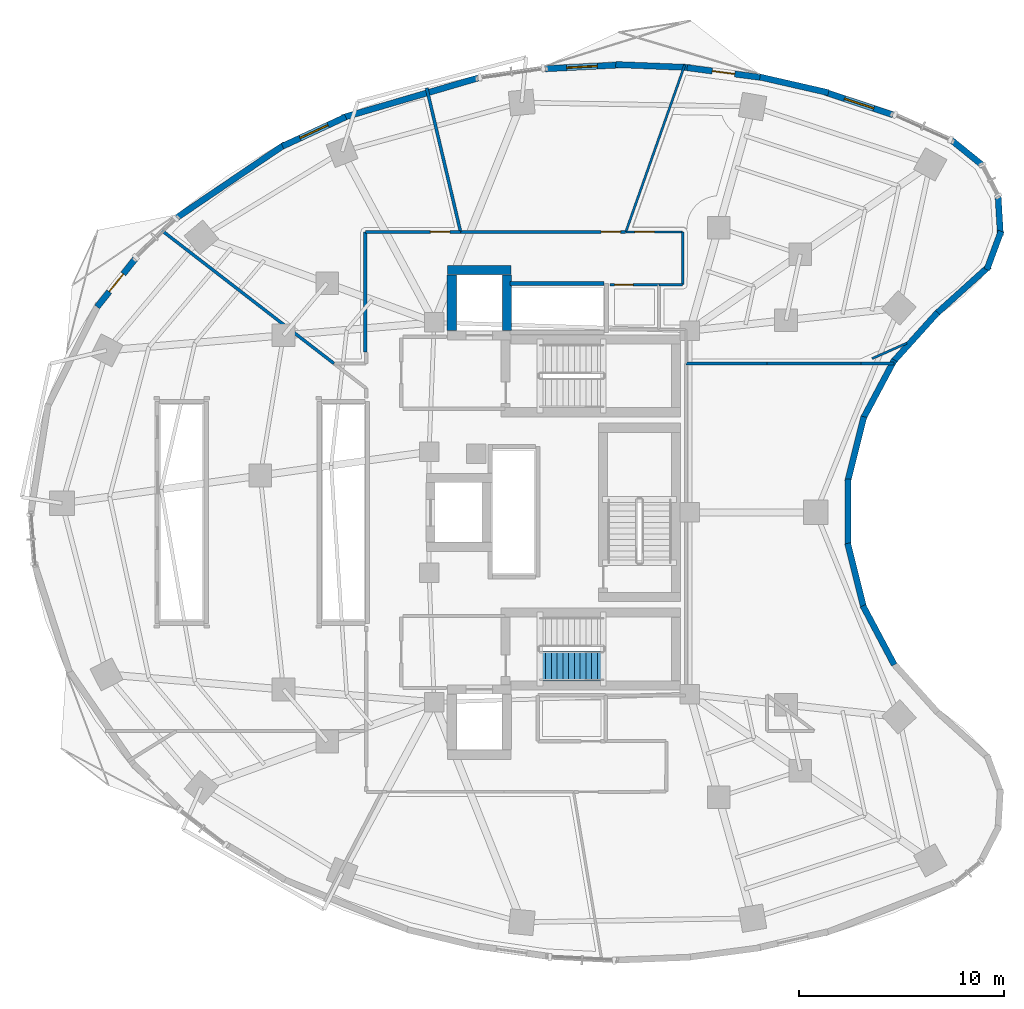
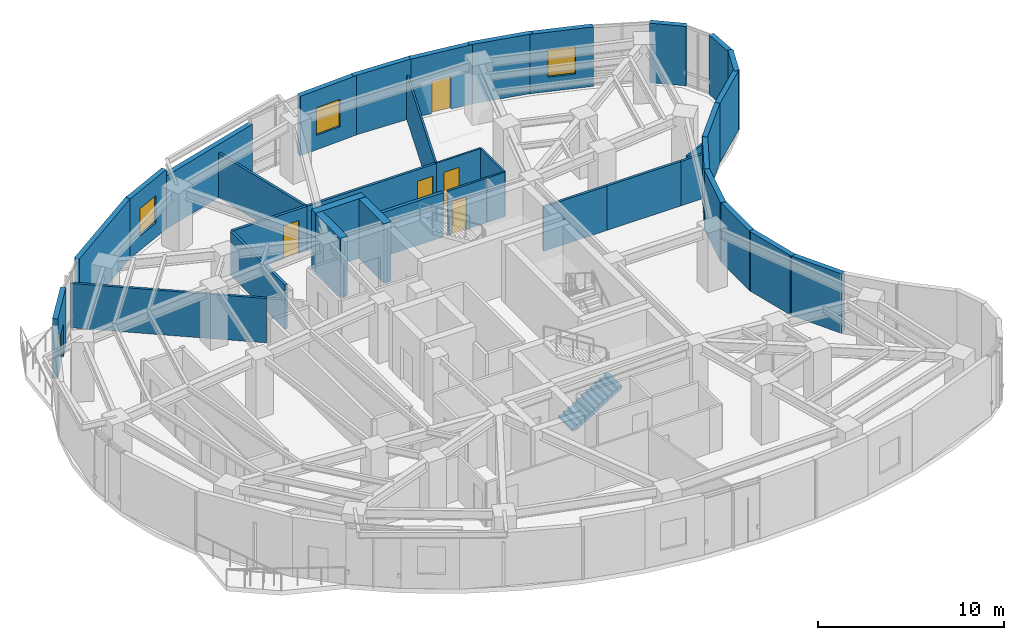
# One storey, part 10 of 14: 37 walls, 6 doors, 3 windows, 1 stair flight, 9 openings, 1 element without a shape of its own.
"""IFC4 building model written with IfcOpenShell, lengths in metres."""

from ifc_helpers import new_model, si_unit, direction, frame, frame_2d, origin, place, context, subcontext, project, spatial, polyline, rectangle, outline, extrude, material, layer, layer_set, type_object, element, fill, aggregate, save


model = new_model("IFC4")

# Units and contexts
model_context = context("Model", 3, precision=1e-05, world=origin(), true_north=direction((0.0, 1.0)))
body_context = subcontext(model_context, "Body", "Model", "MODEL_VIEW")
ifc_project = project(units=[si_unit("LENGTHUNIT", "METRE"), si_unit("AREAUNIT", "SQUARE_METRE"), si_unit("VOLUMEUNIT", "CUBIC_METRE"), si_unit("PLANEANGLEUNIT", "RADIAN"), si_unit("MASSUNIT", "GRAM", prefix="KILO")], contexts=[model_context])

# Site, building, storey
site_placement = place(None, origin())
site = spatial("IfcSite", under=ifc_project, at=site_placement, CompositionType="ELEMENT")
building_placement = place(site_placement, origin())
building = spatial("IfcBuilding", under=site, at=building_placement, Name="Korentha Bioscience Tower", CompositionType="ELEMENT")
storey_placement = place(building_placement, frame((0.0, 0.0, 132.0)))
storey = spatial("IfcBuildingStorey", under=building, at=storey_placement, Name="L30", CompositionType="ELEMENT", Elevation=132.0)

# Wall, opening, door
ifc_material_1 = material(Name="Double-Stud Acoustic Gypsum", Category="gypsum")
ifc_layer_1 = layer(ifc_material_1, 0.14990234375, Name="Double-Stud Acoustic Gypsum")
ifc_layer_set_1 = layer_set([ifc_layer_1], Name="Double-Stud Acoustic Gypsum (IW-L150)")
wall_type_1 = type_object("IfcWallType", Name="Acoustic Laboratory Partition Wall 150", PredefinedType="PARTITIONING", material=ifc_layer_set_1)
wall_1_placement = place(storey_placement, frame((34.422607421875, 40.659912109375, 0.0), z_axis=(0.0, 0.0, 1.0), x_axis=(-1.0, 0.0, 0.0)))
wall_1 = element("IfcWall", 1, at=wall_1_placement, inside=storey, type_object=wall_type_1, Name="L30 Staff Kitchenette and Dining Nook 06 Entrance Wall", PredefinedType="PARTITIONING", context=body_context, shape_type="SweptSolid", body=[
    extrude(rectangle(XDim=8.037353515625, YDim=0.14990234375, at=frame_2d((4.0185546875, 0.0))), origin(), (0.0, 0.0, 1.0), 2.909912109375),
])
opening_1_placement = place(wall_1_placement, frame((0.239990234375, 0.0, 0.0)))
opening_1 = element("IfcOpeningElement", 2, at=opening_1_placement, cuts=wall_1, Name="Opening ID-10R", PredefinedType="OPENING", context=body_context, shape_type="SweptSolid", body=[
    extrude(rectangle(XDim=0.949951171875, YDim=2.14990234375, at=frame_2d((0.47509765625, 1.074951171875))), frame((0.0, 0.08984375, 0.0), z_axis=(0.0, -1.0, 0.0), x_axis=(1.0, 0.0, 0.0)), (0.0, 0.0, 1.0), 0.1796875),
])
ifc_material_2 = material(Name="Phenolic Laminate Timber Core", Category="wood")
door_type_1 = type_object("IfcDoorType", Name="Laboratory Single Leaf Door 950x2150 Right", OperationType="SINGLE_SWING_RIGHT", PredefinedType="DOOR", material=ifc_material_2)
door_1_placement = place(opening_1_placement, origin())
door_1 = element("IfcDoor", 3, at=door_1_placement, inside=storey, type_object=door_type_1, Name="L30 Staff Kitchenette and Dining Nook 06 Door", OperationType="SINGLE_SWING_RIGHT", OverallHeight=2.14990234375, OverallWidth=0.949951171875, PredefinedType="DOOR", context=body_context, shape_type="SweptSolid", body=[
    extrude(rectangle(XDim=0.949951171875, YDim=2.14990234375, at=frame_2d((0.47509765625, 1.074951171875))), frame((0.0, 0.02490234375, 0.0), z_axis=(0.0, -1.0, 0.0), x_axis=(1.0, 0.0, 0.0)), (0.0, 0.0, 1.0), 0.050048828125),
])
fill(opening_1, door_1)

# Walls
wall_2_placement = place(storey_placement, frame((11.798583984375, 40.757568359375, 0.0), z_axis=(0.0, 0.0, 1.0), x_axis=(0.791318809803, -0.611403746514, 0.0)))
element("IfcWall", 4, at=wall_2_placement, inside=storey, type_object=wall_type_1, Name="L30 Interior Partition 015", PredefinedType="PARTITIONING", context=body_context, shape_type="SweptSolid", body=[
    extrude(rectangle(XDim=10.64013671875, YDim=0.14990234375, at=frame_2d((5.320068359375, 0.0))), origin(), (0.0, 0.0, 1.0), 2.909912109375),
])
wall_3_placement = place(storey_placement, frame((41.30224609375, 34.248046875, 0.0), z_axis=(0.0, 0.0, 1.0), x_axis=(1.0, 0.0, 0.0)))
element("IfcWall", 5, at=wall_3_placement, inside=storey, type_object=wall_type_1, Name="L30 Interior Partition 031", PredefinedType="PARTITIONING", context=body_context, shape_type="SweptSolid", body=[
    extrude(rectangle(XDim=4.57958984375, YDim=0.14990234375, at=frame_2d((2.289794921875, 0.0))), origin(), (0.0, 0.0, 1.0), 2.909912109375),
])
wall_4_placement = place(storey_placement, frame((45.89208984375, 34.248046875, 0.0), z_axis=(0.0, 0.0, 1.0), x_axis=(1.0, 0.0, 0.0)))
element("IfcWall", 6, at=wall_4_placement, inside=storey, type_object=wall_type_1, Name="L30 Interior Partition 032", PredefinedType="PARTITIONING", context=body_context, shape_type="SweptSolid", body=[
    extrude(rectangle(XDim=1.610107421875, YDim=0.14990234375, at=frame_2d((0.80517578125, 0.0))), origin(), (0.0, 0.0, 1.0), 2.909912109375),
])
wall_5_placement = place(storey_placement, frame((37.360107421875, 34.248046875, 0.0), z_axis=(0.0, 0.0, 1.0), x_axis=(1.0, 0.0, 0.0)))
element("IfcWall", 7, at=wall_5_placement, inside=storey, type_object=wall_type_1, Name="L30 Interior Partition 039", PredefinedType="PARTITIONING", context=body_context, shape_type="SweptSolid", body=[
    extrude(rectangle(XDim=3.937744140625, YDim=0.14990234375, at=frame_2d((1.96875, 0.0))), origin(), (0.0, 0.0, 1.0), 2.909912109375),
])
wall_6_placement = place(storey_placement, frame((26.38525390625, 40.659912109375, 0.0), z_axis=(0.0, 0.0, 1.0), x_axis=(-0.229741864883, 0.97325159929, 0.0)))
element("IfcWall", 8, at=wall_6_placement, inside=storey, type_object=wall_type_1, Name="L30 Interior Partition 049", PredefinedType="PARTITIONING", context=body_context, shape_type="SweptSolid", body=[
    extrude(rectangle(XDim=7.204833984375, YDim=0.14990234375, at=frame_2d((3.6025390625, 0.0))), origin(), (0.0, 0.0, 1.0), 2.909912109375),
])

# Wall, opening, door
ifc_material_3 = material(Name="Fire-Rated Framed Glass", Category="glass")
ifc_layer_2 = layer(ifc_material_3, 0.110107421875, Name="Fire-Rated Framed Glass")
ifc_layer_set_2 = layer_set([ifc_layer_2], Name="Fire-Rated Framed Glass (IW-G110)")
wall_type_2 = type_object("IfcWallType", Name="Demountable Glazed Office Partition 110", PredefinedType="MOVABLE", material=ifc_layer_set_2)
wall_7_placement = place(storey_placement, frame((37.199951171875, 40.659912109375, 0.0), z_axis=(0.0, 0.0, 1.0), x_axis=(-1.0, 0.0, 0.0)))
wall_7 = element("IfcWall", 9, at=wall_7_placement, inside=storey, type_object=wall_type_2, Name="L30 Colloquium Huddle Room 05 Entrance Wall", PredefinedType="MOVABLE", context=body_context, shape_type="SweptSolid", body=[
    extrude(rectangle(XDim=2.767333984375, YDim=0.110107421875, at=frame_2d((1.3837890625, 0.0))), origin(), (0.0, 0.0, 1.0), 2.909912109375),
])
opening_2_placement = place(wall_7_placement, frame((1.37158203125, 0.0, 0.0)))
opening_2 = element("IfcOpeningElement", 10, at=opening_2_placement, cuts=wall_7, Name="Opening ID-10L", PredefinedType="OPENING", context=body_context, shape_type="SweptSolid", body=[
    extrude(rectangle(XDim=0.949951171875, YDim=2.14990234375, at=frame_2d((0.47509765625, 1.074951171875))), frame((0.0, 0.06982421875, 0.0), z_axis=(0.0, -1.0, 0.0), x_axis=(1.0, 0.0, 0.0)), (0.0, 0.0, 1.0), 0.139892578125),
])
door_type_2 = type_object("IfcDoorType", Name="Laboratory Single Leaf Door 950x2150 Left", OperationType="SINGLE_SWING_LEFT", PredefinedType="DOOR", material=ifc_material_2)
door_2_placement = place(opening_2_placement, origin())
door_2 = element("IfcDoor", 11, at=door_2_placement, inside=storey, type_object=door_type_2, Name="L30 Colloquium Huddle Room 05 Door", OperationType="SINGLE_SWING_LEFT", OverallHeight=2.14990234375, OverallWidth=0.949951171875, PredefinedType="DOOR", context=body_context, shape_type="SweptSolid", body=[
    extrude(rectangle(XDim=0.949951171875, YDim=2.14990234375, at=frame_2d((0.47509765625, 1.074951171875))), frame((0.0, 0.02490234375, 0.0), z_axis=(0.0, -1.0, 0.0), x_axis=(1.0, 0.0, 0.0)), (0.0, 0.0, 1.0), 0.050048828125),
])
fill(opening_2, door_2)

# Walls
wall_8_placement = place(storey_placement, frame((48.1171875, 35.2431640625, 0.0), z_axis=(0.0, 0.0, 1.0), x_axis=(-0.913545637302, -0.406736239553, 0.0)))
element("IfcWall", 12, at=wall_8_placement, inside=storey, type_object=wall_type_2, Name="L30 Interior Partition 043", PredefinedType="MOVABLE", context=body_context, shape_type="SweptSolid", body=[
    extrude(rectangle(XDim=1.8564453125, YDim=0.110107421875, at=frame_2d((0.92822265625, 0.0))), origin(), (0.0, 0.0, 1.0), 2.909912109375),
])
wall_9_placement = place(storey_placement, frame((36.06005859375, 38.090087890625, 0.0), z_axis=(0.0, 0.0, 1.0), x_axis=(1.0, 0.0, 0.0)))
element("IfcWall", 13, at=wall_9_placement, inside=storey, type_object=wall_type_2, Name="L30 Interior Partition 046", PredefinedType="MOVABLE", context=body_context, shape_type="SweptSolid", body=[
    extrude(rectangle(XDim=1.139892578125, YDim=0.110107421875, at=frame_2d((0.56982421875, 0.0))), origin(), (0.0, 0.0, 1.0), 2.909912109375),
])
wall_10_placement = place(storey_placement, frame((37.2099609375, 38.10009765625, 0.0), z_axis=(0.0, 0.0, 1.0), x_axis=(0.0, 1.0, 0.0)))
element("IfcWall", 14, at=wall_10_placement, inside=storey, type_object=wall_type_2, Name="L30 Interior Partition 047", PredefinedType="MOVABLE", context=body_context, shape_type="SweptSolid", body=[
    extrude(rectangle(XDim=2.5498046875, YDim=0.110107421875, at=frame_2d((1.27490234375, 0.0))), origin(), (0.0, 0.0, 1.0), 2.909912109375),
])
wall_11_placement = place(storey_placement, frame((34.4326171875, 40.659912109375, 0.0), z_axis=(0.0, 0.0, 1.0), x_axis=(0.332889773539, 0.942965746288, 0.0)))
element("IfcWall", 15, at=wall_11_placement, inside=storey, type_object=wall_type_2, Name="L30 Interior Partition 048", PredefinedType="MOVABLE", context=body_context, shape_type="SweptSolid", body=[
    extrude(rectangle(XDim=8.61669921875, YDim=0.110107421875, at=frame_2d((4.308349609375, 0.0))), origin(), (0.0, 0.0, 1.0), 2.909912109375),
])

# Wall, opening, door
ifc_material_4 = material(Name="Gypsum-Clad Steel Stud", Category="steel")
ifc_layer_3 = layer(ifc_material_4, 0.159912109375, Name="Gypsum-Clad Steel Stud")
ifc_layer_set_3 = layer_set([ifc_layer_3], Name="Gypsum-Clad Steel Stud (IW-C160)")
wall_type_3 = type_object("IfcWallType", Name="Fire-Rated Corridor Partition Wall 160", PredefinedType="PARTITIONING", material=ifc_layer_set_3)
wall_12_placement = place(storey_placement, frame((26.375, 40.659912109375, 0.0), z_axis=(0.0, 0.0, 1.0), x_axis=(-1.0, 0.0, 0.0)))
wall_12 = element("IfcWall", 16, at=wall_12_placement, inside=storey, type_object=wall_type_3, Name="L30 Specimen Barcoding Receiving Room 07 Entrance Wall", PredefinedType="PARTITIONING", context=body_context, shape_type="SweptSolid", body=[
    extrude(rectangle(XDim=4.625, YDim=0.159912109375, at=frame_2d((2.3125, 0.0))), origin(), (0.0, 0.0, 1.0), 2.909912109375),
])
opening_3_placement = place(wall_12_placement, frame((0.50634765625, 0.0, 0.0)))
opening_3 = element("IfcOpeningElement", 17, at=opening_3_placement, cuts=wall_12, Name="Opening ID-10L", PredefinedType="OPENING", context=body_context, shape_type="SweptSolid", body=[
    extrude(rectangle(XDim=0.949951171875, YDim=2.14990234375, at=frame_2d((0.47509765625, 1.074951171875))), frame((0.0, 0.0947265625, 0.0), z_axis=(0.0, -1.0, 0.0), x_axis=(1.0, 0.0, 0.0)), (0.0, 0.0, 1.0), 0.189697265625),
])
door_3_placement = place(opening_3_placement, origin())
door_3 = element("IfcDoor", 18, at=door_3_placement, inside=storey, type_object=door_type_2, Name="L30 Specimen Barcoding Receiving Room 07 Door", OperationType="SINGLE_SWING_LEFT", OverallHeight=2.14990234375, OverallWidth=0.949951171875, PredefinedType="DOOR", context=body_context, shape_type="SweptSolid", body=[
    extrude(rectangle(XDim=0.949951171875, YDim=2.14990234375, at=frame_2d((0.47509765625, 1.074951171875))), frame((0.0, 0.02490234375, 0.0), z_axis=(0.0, -1.0, 0.0), x_axis=(1.0, 0.0, 0.0)), (0.0, 0.0, 1.0), 0.050048828125),
])
fill(opening_3, door_3)

# Wall
wall_13_placement = place(storey_placement, frame((21.739990234375, 40.64990234375, 0.0), z_axis=(0.0, 0.0, 1.0), x_axis=(0.0, -1.0, 0.0)))
element("IfcWall", 19, at=wall_13_placement, inside=storey, type_object=wall_type_3, Name="L30 Interior Partition 050", PredefinedType="PARTITIONING", context=body_context, shape_type="SweptSolid", body=[
    extrude(rectangle(XDim=5.849853515625, YDim=0.159912109375, at=frame_2d((2.9248046875, 0.0))), origin(), (0.0, 0.0, 1.0), 2.909912109375),
])

# Wall, opening, window
ifc_material_5 = material(Name="Honed Limestone Precast Concrete C40", Category="masonry")
ifc_layer_4 = layer(ifc_material_5, 0.300048828125, Name="Honed Limestone Precast Concrete C40")
ifc_layer_set_4 = layer_set([ifc_layer_4], Name="Honed Limestone Precast Concrete C40 (EW-ST300)")
wall_type_4 = type_object("IfcWallType", Name="Honed Limestone Cavity Spandrel Wall 300", PredefinedType="STANDARD", material=ifc_layer_set_4)
wall_14_placement = place(storey_placement, frame((47.446044921875, 46.36572265625, 0.0), z_axis=(0.0, 0.0, 1.0), x_axis=(-0.948949854506, 0.315426970364, 0.0)))
wall_14 = element("IfcWall", 20, at=wall_14_placement, inside=storey, type_object=wall_type_4, Name="L30 Honed Limestone Spandrel Wall 02", PredefinedType="STANDARD", context=body_context, shape_type="SweptSolid", body=[
    extrude(rectangle(XDim=3.47607421875, YDim=0.300048828125, at=frame_2d((1.738037109375, 0.0))), origin(), (0.0, 0.0, 1.0), 3.89990234375),
])
opening_4_placement = place(wall_14_placement, frame((0.988037109375, 0.0, 0.949951171875)))
opening_4 = element("IfcOpeningElement", 21, at=opening_4_placement, cuts=wall_14, Name="Opening WN-02", PredefinedType="OPENING", context=body_context, shape_type="SweptSolid", body=[
    extrude(rectangle(XDim=1.5, YDim=1.800048828125, at=frame_2d((0.75, 0.89990234375))), frame((0.0, 0.1650390625, 0.0), z_axis=(0.0, -1.0, 0.0), x_axis=(1.0, 0.0, 0.0)), (0.0, 0.0, 1.0), 0.329833984375),
])
ifc_material_6 = material(Name="Thermally Broken Aluminium Triple Glazing", Category="aluminium")
window_type = type_object("IfcWindowType", Name="Acoustic Operable Office Window 1500x1800", PartitioningType="DOUBLE_PANEL_VERTICAL", PredefinedType="WINDOW", material=ifc_material_6)
window_1_placement = place(opening_4_placement, origin())
window_1 = element("IfcWindow", 22, at=window_1_placement, inside=storey, type_object=window_type, Name="L30 Facade Window 02", OverallHeight=1.800048828125, OverallWidth=1.5, PartitioningType="DOUBLE_PANEL_VERTICAL", PredefinedType="WINDOW", context=body_context, shape_type="SweptSolid", body=[
    extrude(rectangle(XDim=1.5, YDim=1.800048828125, at=frame_2d((0.75, 0.89990234375))), frame((0.0, 0.030029296875, 0.0), z_axis=(0.0, -1.0, 0.0), x_axis=(1.0, 0.0, 0.0)), (0.0, 0.0, 1.0), 0.06005859375),
])
fill(opening_4, window_1)

# Wall, opening, door
wall_15_placement = place(storey_placement, frame((40.964111328125, 48.18994140625, 0.0), z_axis=(0.0, 0.0, 1.0), x_axis=(-0.991369257822, 0.131099178664, 0.0)))
wall_15 = element("IfcWall", 23, at=wall_15_placement, inside=storey, type_object=wall_type_4, Name="L30 Balcony Threshold Wall 01", PredefinedType="STANDARD", context=body_context, shape_type="SweptSolid", body=[
    extrude(rectangle(XDim=3.575439453125, YDim=0.300048828125, at=frame_2d((1.78759765625, 0.0))), origin(), (0.0, 0.0, 1.0), 3.89990234375),
])
opening_5_placement = place(wall_15_placement, frame((1.23779296875, 0.0, 0.0)))
opening_5 = element("IfcOpeningElement", 24, at=opening_5_placement, cuts=wall_15, Name="Opening BD-11L", PredefinedType="OPENING", context=body_context, shape_type="SweptSolid", body=[
    extrude(rectangle(XDim=1.10009765625, YDim=2.14990234375, at=frame_2d((0.550048828125, 1.074951171875))), frame((0.0, 0.1650390625, 0.0), z_axis=(0.0, -1.0, 0.0), x_axis=(1.0, 0.0, 0.0)), (0.0, 0.0, 1.0), 0.329833984375),
])
ifc_material_7 = material(Name="Thermally Broken Glazed Aluminium", Category="aluminium")
door_type_3 = type_object("IfcDoorType", Name="Balcony Terrace Glazed Door 1100x2150 Left", OperationType="SINGLE_SWING_LEFT", PredefinedType="DOOR", material=ifc_material_7)
door_4_placement = place(opening_5_placement, origin())
door_4 = element("IfcDoor", 25, at=door_4_placement, inside=storey, type_object=door_type_3, Name="L30 Balcony Access Door 01", OperationType="SINGLE_SWING_LEFT", OverallHeight=2.14990234375, OverallWidth=1.10009765625, PredefinedType="DOOR", context=body_context, shape_type="SweptSolid", body=[
    extrude(rectangle(XDim=1.10009765625, YDim=2.14990234375, at=frame_2d((0.550048828125, 1.074951171875))), frame((0.0, 0.02490234375, 0.0), z_axis=(0.0, -1.0, 0.0), x_axis=(1.0, 0.0, 0.0)), (0.0, 0.0, 1.0), 0.050048828125),
])
fill(opening_5, door_4)

# Wall, opening, window
wall_16_placement = place(storey_placement, frame((34.095703125, 48.79052734375, 0.0), z_axis=(0.0, 0.0, 1.0), x_axis=(-0.998676861232, -0.051424963197, 0.0)))
wall_16 = element("IfcWall", 26, at=wall_16_placement, inside=storey, type_object=wall_type_4, Name="L30 Honed Limestone Spandrel Wall 06", PredefinedType="STANDARD", context=body_context, shape_type="SweptSolid", body=[
    extrude(rectangle(XDim=3.59375, YDim=0.300048828125, at=frame_2d((1.796875, 0.0))), origin(), (0.0, 0.0, 1.0), 3.89990234375),
])
opening_6_placement = place(wall_16_placement, frame((1.046875, 0.0, 0.949951171875)))
opening_6 = element("IfcOpeningElement", 27, at=opening_6_placement, cuts=wall_16, Name="Opening WN-02", PredefinedType="OPENING", context=body_context, shape_type="SweptSolid", body=[
    extrude(rectangle(XDim=1.5, YDim=1.800048828125, at=frame_2d((0.75, 0.89990234375))), frame((0.0, 0.1650390625, 0.0), z_axis=(0.0, -1.0, 0.0), x_axis=(1.0, 0.0, 0.0)), (0.0, 0.0, 1.0), 0.329833984375),
])
window_2_placement = place(opening_6_placement, origin())
window_2 = element("IfcWindow", 28, at=window_2_placement, inside=storey, type_object=window_type, Name="L30 Facade Window 06", OverallHeight=1.800048828125, OverallWidth=1.5, PartitioningType="DOUBLE_PANEL_VERTICAL", PredefinedType="WINDOW", context=body_context, shape_type="SweptSolid", body=[
    extrude(rectangle(XDim=1.5, YDim=1.800048828125, at=frame_2d((0.75, 0.89990234375))), frame((0.0, 0.030029296875, 0.0), z_axis=(0.0, -1.0, 0.0), x_axis=(1.0, 0.0, 0.0)), (0.0, 0.0, 1.0), 0.06005859375),
])
fill(opening_6, window_2)

wall_17_placement = place(storey_placement, frame((20.7880859375, 46.2587890625, 0.0), z_axis=(0.0, 0.0, 1.0), x_axis=(-0.907218110188, -0.42066055264, 0.0)))
wall_17 = element("IfcWall", 29, at=wall_17_placement, inside=storey, type_object=wall_type_4, Name="L30 Honed Limestone Spandrel Wall 10", PredefinedType="STANDARD", context=body_context, shape_type="SweptSolid", body=[
    extrude(rectangle(XDim=3.389892578125, YDim=0.300048828125, at=frame_2d((1.69482421875, 0.0))), origin(), (0.0, 0.0, 1.0), 3.89990234375),
])
opening_7_placement = place(wall_17_placement, frame((0.945068359375, 0.0, 0.949951171875)))
opening_7 = element("IfcOpeningElement", 30, at=opening_7_placement, cuts=wall_17, Name="Opening WN-02", PredefinedType="OPENING", context=body_context, shape_type="SweptSolid", body=[
    extrude(rectangle(XDim=1.5, YDim=1.800048828125, at=frame_2d((0.75, 0.89990234375))), frame((0.0, 0.1650390625, 0.0), z_axis=(0.0, -1.0, 0.0), x_axis=(1.0, 0.0, 0.0)), (0.0, 0.0, 1.0), 0.329833984375),
])
window_3_placement = place(opening_7_placement, origin())
window_3 = element("IfcWindow", 31, at=window_3_placement, inside=storey, type_object=window_type, Name="L30 Facade Window 10", OverallHeight=1.800048828125, OverallWidth=1.5, PartitioningType="DOUBLE_PANEL_VERTICAL", PredefinedType="WINDOW", context=body_context, shape_type="SweptSolid", body=[
    extrude(rectangle(XDim=1.5, YDim=1.800048828125, at=frame_2d((0.75, 0.89990234375))), frame((0.0, 0.030029296875, 0.0), z_axis=(0.0, -1.0, 0.0), x_axis=(1.0, 0.0, 0.0)), (0.0, 0.0, 1.0), 0.06005859375),
])
fill(opening_7, window_3)

# Wall, opening, door
wall_18_placement = place(storey_placement, frame((10.55029296875, 39.361572265625, 0.0), z_axis=(0.0, 0.0, 1.0), x_axis=(-0.620971431761, -0.783833197139, 0.0)))
wall_18 = element("IfcWall", 32, at=wall_18_placement, inside=storey, type_object=wall_type_4, Name="L30 Balcony Threshold Wall 02", PredefinedType="STANDARD", context=body_context, shape_type="SweptSolid", body=[
    extrude(rectangle(XDim=3.004150390625, YDim=0.300048828125, at=frame_2d((1.501953125, 0.0))), origin(), (0.0, 0.0, 1.0), 3.89990234375),
])
opening_8_placement = place(wall_18_placement, frame((0.951904296875, 0.0, 0.0)))
opening_8 = element("IfcOpeningElement", 33, at=opening_8_placement, cuts=wall_18, Name="Opening BD-11R", PredefinedType="OPENING", context=body_context, shape_type="SweptSolid", body=[
    extrude(rectangle(XDim=1.10009765625, YDim=2.14990234375, at=frame_2d((0.550048828125, 1.074951171875))), frame((0.0, 0.1650390625, 0.0), z_axis=(0.0, -1.0, 0.0), x_axis=(1.0, 0.0, 0.0)), (0.0, 0.0, 1.0), 0.329833984375),
])
door_type_4 = type_object("IfcDoorType", Name="Balcony Terrace Glazed Door 1100x2150 Right", OperationType="SINGLE_SWING_RIGHT", PredefinedType="DOOR", material=ifc_material_7)
door_5_placement = place(opening_8_placement, origin())
door_5 = element("IfcDoor", 34, at=door_5_placement, inside=storey, type_object=door_type_4, Name="L30 Balcony Access Door 02", OperationType="SINGLE_SWING_RIGHT", OverallHeight=2.14990234375, OverallWidth=1.10009765625, PredefinedType="DOOR", context=body_context, shape_type="SweptSolid", body=[
    extrude(rectangle(XDim=1.10009765625, YDim=2.14990234375, at=frame_2d((0.550048828125, 1.074951171875))), frame((0.0, 0.02490234375, 0.0), z_axis=(0.0, -1.0, 0.0), x_axis=(1.0, 0.0, 0.0)), (0.0, 0.0, 1.0), 0.050048828125),
])
fill(opening_8, door_5)

# Walls
wall_19_placement = place(storey_placement, frame((44.301513671875, 47.44091796875, 0.0), z_axis=(0.0, 0.0, 1.0), x_axis=(-0.974841550422, 0.222898971669, 0.0)))
element("IfcWall", 35, at=wall_19_placement, inside=storey, type_object=wall_type_4, Name="L30 Limestone Perimeter Closure Wall 03", PredefinedType="STANDARD", context=body_context, shape_type="SweptSolid", body=[
    extrude(rectangle(XDim=3.574951171875, YDim=0.300048828125, at=frame_2d((1.78759765625, 0.0))), origin(), (0.0, 0.0, 1.0), 3.89990234375),
])
wall_20_placement = place(storey_placement, frame((37.574462890625, 48.666259765625, 0.0), z_axis=(0.0, 0.0, 1.0), x_axis=(-0.999212076676, 0.039689114679, 0.0)))
element("IfcWall", 36, at=wall_20_placement, inside=storey, type_object=wall_type_4, Name="L30 Limestone Perimeter Closure Wall 05", PredefinedType="STANDARD", context=body_context, shape_type="SweptSolid", body=[
    extrude(rectangle(XDim=3.635498046875, YDim=0.300048828125, at=frame_2d((1.81787109375, 0.0))), origin(), (0.0, 0.0, 1.0), 3.89990234375),
])
wall_21_placement = place(storey_placement, frame((27.258544921875, 48.163330078125, 0.0), z_axis=(0.0, 0.0, 1.0), x_axis=(-0.959706958999, -0.281002763064, 0.0)))
element("IfcWall", 37, at=wall_21_placement, inside=storey, type_object=wall_type_4, Name="L30 Limestone Perimeter Closure Wall 08", PredefinedType="STANDARD", context=body_context, shape_type="SweptSolid", body=[
    extrude(rectangle(XDim=6.907958984375, YDim=0.300048828125, at=frame_2d((3.4541015625, 0.0))), origin(), (0.0, 0.0, 1.0), 3.469970703125),
])
wall_22_placement = place(storey_placement, frame((17.844482421875, 44.93212890625, 0.0), z_axis=(0.0, 0.0, 1.0), x_axis=(-0.827833149384, -0.560974399399, 0.0)))
element("IfcWall", 38, at=wall_22_placement, inside=storey, type_object=wall_type_4, Name="L30 Limestone Perimeter Closure Wall 11", PredefinedType="STANDARD", context=body_context, shape_type="SweptSolid", body=[
    extrude(rectangle(XDim=6.413330078125, YDim=0.300048828125, at=frame_2d((3.20654296875, 0.0))), origin(), (0.0, 0.0, 1.0), 3.89990234375),
])
wall_23_placement = place(storey_placement, frame((47.5087890625, 19.578857421875, 0.0), z_axis=(0.0, 0.0, 1.0), x_axis=(-0.469451284634, 0.882958374645, 0.0)))
element("IfcWall", 39, at=wall_23_placement, inside=storey, type_object=wall_type_4, Name="L30 Limestone Perimeter Closure Wall 45", PredefinedType="STANDARD", context=body_context, shape_type="SweptSolid", body=[
    extrude(rectangle(XDim=3.255615234375, YDim=0.300048828125, at=frame_2d((1.6279296875, 0.0))), origin(), (0.0, 0.0, 1.0), 3.89990234375),
])
wall_24_placement = place(storey_placement, frame((46.025146484375, 22.3369140625, 0.0), z_axis=(0.0, 0.0, 1.0), x_axis=(-0.241900409149, 0.970301083197, 0.0)))
element("IfcWall", 40, at=wall_24_placement, inside=storey, type_object=wall_type_4, Name="L30 Limestone Perimeter Closure Wall 47", PredefinedType="STANDARD", context=body_context, shape_type="SweptSolid", body=[
    extrude(rectangle(XDim=3.255859375, YDim=0.300048828125, at=frame_2d((1.6279296875, 0.0))), origin(), (0.0, 0.0, 1.0), 3.89990234375),
])
wall_25_placement = place(storey_placement, frame((45.252685546875, 25.372314453125, 0.0), z_axis=(0.0, 0.0, 1.0), x_axis=(0.0, 1.0, 0.0)))
element("IfcWall", 41, at=wall_25_placement, inside=storey, type_object=wall_type_4, Name="L30 Limestone Perimeter Closure Wall 49", PredefinedType="STANDARD", context=body_context, shape_type="SweptSolid", body=[
    extrude(rectangle(XDim=3.25537109375, YDim=0.300048828125, at=frame_2d((1.627685546875, 0.0))), origin(), (0.0, 0.0, 1.0), 3.89990234375),
])
wall_26_placement = place(storey_placement, frame((45.237548828125, 28.50390625, 0.0), z_axis=(0.0, 0.0, 1.0), x_axis=(0.241900409149, 0.970301083197, 0.0)))
element("IfcWall", 42, at=wall_26_placement, inside=storey, type_object=wall_type_4, Name="L30 Limestone Perimeter Closure Wall 51", PredefinedType="STANDARD", context=body_context, shape_type="SweptSolid", body=[
    extrude(rectangle(XDim=3.255859375, YDim=0.300048828125, at=frame_2d((1.6279296875, 0.0))), origin(), (0.0, 0.0, 1.0), 3.89990234375),
])
wall_27_placement = place(storey_placement, frame((45.98046875, 31.546630859375, 0.0), z_axis=(0.0, 0.0, 1.0), x_axis=(0.469451284634, 0.882958374645, 0.0)))
element("IfcWall", 43, at=wall_27_placement, inside=storey, type_object=wall_type_4, Name="L30 Limestone Perimeter Closure Wall 53", PredefinedType="STANDARD", context=body_context, shape_type="SweptSolid", body=[
    extrude(rectangle(XDim=3.255615234375, YDim=0.300048828125, at=frame_2d((1.6279296875, 0.0))), origin(), (0.0, 0.0, 1.0), 3.89990234375),
])
wall_28_placement = place(storey_placement, frame((47.437255859375, 34.319091796875, 0.0), z_axis=(0.0, 0.0, 1.0), x_axis=(0.669167727967, 0.743111399353, 0.0)))
element("IfcWall", 44, at=wall_28_placement, inside=storey, type_object=wall_type_4, Name="L30 Limestone Perimeter Closure Wall 55", PredefinedType="STANDARD", context=body_context, shape_type="SweptSolid", body=[
    extrude(rectangle(XDim=3.25537109375, YDim=0.300048828125, at=frame_2d((1.627685546875, 0.0))), origin(), (0.0, 0.0, 1.0), 3.89990234375),
])
wall_29_placement = place(storey_placement, frame((49.51318359375, 36.6357421875, 0.0), z_axis=(0.0, 0.0, 1.0), x_axis=(0.74255963233, 0.669779958221, 0.0)))
element("IfcWall", 45, at=wall_29_placement, inside=storey, type_object=wall_type_4, Name="L30 Limestone Perimeter Closure Wall 57", PredefinedType="STANDARD", context=body_context, shape_type="SweptSolid", body=[
    extrude(rectangle(XDim=3.5390625, YDim=0.300048828125, at=frame_2d((1.76953125, 0.0))), origin(), (0.0, 0.0, 1.0), 3.89990234375),
])
wall_30_placement = place(storey_placement, frame((52.016357421875, 38.822265625, 0.0), z_axis=(0.0, 0.0, 1.0), x_axis=(0.347370087337, 0.937728117539, 0.0)))
element("IfcWall", 46, at=wall_30_placement, inside=storey, type_object=wall_type_4, Name="L30 Limestone Perimeter Closure Wall 59", PredefinedType="STANDARD", context=body_context, shape_type="SweptSolid", body=[
    extrude(rectangle(XDim=1.997314453125, YDim=0.300048828125, at=frame_2d((0.99853515625, 0.0))), origin(), (0.0, 0.0, 1.0), 3.89990234375),
])
for number, where, z_axis, x_axis, name in (
    (47, (52.678955078125, 40.4833984375, 0.0), (0.0, 0.0, 1.0), (-0.060255200356, 0.998183004679, 0.0), "L30 Limestone Perimeter Closure Wall 60"),
    (48, (51.83642578125, 43.880615234375, 0.0), (0.0, 0.0, 1.0), (-0.777338789647, 0.629082193445, 0.0), "L30 Limestone Perimeter Closure Wall 62"),
):
    element("IfcWall", number, at=place(storey_placement, frame(where, z_axis=z_axis, x_axis=x_axis)), inside=storey, type_object=wall_type_4, Name=name, PredefinedType="STANDARD", context=body_context, shape_type="SweptSolid", body=[
        extrude(rectangle(XDim=1.99755859375, YDim=0.300048828125, at=frame_2d((0.998779296875, 0.0))), origin(), (0.0, 0.0, 1.0), 3.89990234375),
    ])
ifc_material_8 = material(Name="Autoclaved Aerated Concrete Block C25", Category="concrete")
ifc_layer_5 = layer(ifc_material_8, 0.199951171875, Name="Autoclaved Aerated Concrete Block C25")
ifc_layer_set_5 = layer_set([ifc_layer_5], Name="Autoclaved Aerated Concrete Block C25 (IW-S200)")
wall_type_5 = type_object("IfcWallType", Name="Lift and Riser Shaft Enclosure Wall 200", PredefinedType="PARTITIONING", material=ifc_layer_set_5)
wall_31_placement = place(storey_placement, frame((28.800048828125, 38.139892578125, 0.0), z_axis=(0.0, 0.0, 1.0), x_axis=(1.0, 0.0, 0.0)))
element("IfcWall", 49, at=wall_31_placement, inside=storey, type_object=wall_type_5, Name="L30 Lift Bank OBS Shaft Wall +Y", PredefinedType="PARTITIONING", context=body_context, shape_type="SweptSolid", body=[
    extrude(rectangle(XDim=4.570068359375, YDim=0.199951171875, at=frame_2d((2.28515625, 0.0))), origin(), (0.0, 0.0, 1.0), 2.909912109375),
])
ifc_material_9 = material(Name="Concrete C80", Category="concrete")
ifc_layer_6 = layer(ifc_material_9, 0.449951171875, Name="Concrete C80")
ifc_layer_set_6 = layer_set([ifc_layer_6], Name="Concrete C80 (CW-C80)")
wall_type_6 = type_object("IfcWallType", Name="Lower Core Shear Wall 450", PredefinedType="SHEAR", material=ifc_layer_set_6)
wall_32_placement = place(storey_placement, frame((25.75, 38.800048828125, 0.0), z_axis=(0.0, 0.0, 1.0), x_axis=(1.0, 0.0, 0.0)))
element("IfcWall", 50, at=wall_32_placement, inside=storey, type_object=wall_type_6, Name="L30 Core Shear Wall FFL2-N", PredefinedType="SHEAR", context=body_context, shape_type="SweptSolid", body=[
    extrude(rectangle(XDim=3.10009765625, YDim=0.449951171875, at=frame_2d((1.550048828125, 0.0))), origin(), (0.0, 0.0, 1.0), 3.89990234375),
])
for number, where, z_axis, x_axis, name in (
    (51, (25.949951171875, 35.860107421875, 0.0), (0.0, 0.0, 1.0), (0.0, 1.0, 0.0), "L30 Core Shear Wall FFL2-W"),
    (52, (28.64990234375, 35.860107421875, 0.0), (0.0, 0.0, 1.0), (0.0, 1.0, 0.0), "L30 Core Shear Wall FFL2-E"),
):
    element("IfcWall", number, at=place(storey_placement, frame(where, z_axis=z_axis, x_axis=x_axis)), inside=storey, type_object=wall_type_6, Name=name, PredefinedType="SHEAR", context=body_context, shape_type="SweptSolid", body=[
        extrude(rectangle(XDim=2.699951171875, YDim=0.449951171875, at=frame_2d((1.35009765625, 0.0))), origin(), (0.0, 0.0, 1.0), 3.89990234375),
    ])

# Wall, opening, door
ifc_material_10 = material(Name="Cement-Board Steel Stud", Category="steel")
ifc_layer_7 = layer(ifc_material_10, 0.1298828125, Name="Cement-Board Steel Stud")
ifc_layer_set_7 = layer_set([ifc_layer_7], Name="Cement-Board Steel Stud (IW-W130)")
wall_type_7 = type_object("IfcWallType", Name="Wet-Area Moisture-Resistant Partition 130", PredefinedType="PARTITIONING", material=ifc_layer_set_7)
wall_33_placement = place(storey_placement, frame((33.64990234375, 38.090087890625, 0.0), z_axis=(0.0, 0.0, 1.0), x_axis=(1.0, 0.0, 0.0)))
wall_33 = element("IfcWall", 53, at=wall_33_placement, inside=storey, type_object=wall_type_7, Name="L30 Accessible Staff WC Entrance Wall", PredefinedType="PARTITIONING", context=body_context, shape_type="SweptSolid", body=[
    extrude(rectangle(XDim=2.400146484375, YDim=0.1298828125, at=frame_2d((1.2001953125, 0.0))), origin(), (0.0, 0.0, 1.0), 2.909912109375),
])
opening_9_placement = place(wall_33_placement, frame((0.239990234375, 0.0, 0.0)))
opening_9 = element("IfcOpeningElement", 54, at=opening_9_placement, cuts=wall_33, Name="Opening ID-09R", PredefinedType="OPENING", context=body_context, shape_type="SweptSolid", body=[
    extrude(rectangle(XDim=0.89990234375, YDim=2.14990234375, at=frame_2d((0.449951171875, 1.074951171875))), frame((0.0, 0.079833984375, 0.0), z_axis=(0.0, -1.0, 0.0), x_axis=(1.0, 0.0, 0.0)), (0.0, 0.0, 1.0), 0.15966796875),
])
ifc_material_11 = material(Name="Moisture-Resistant HPL Leaf", Category="wood")
door_type_5 = type_object("IfcDoorType", Name="Restroom & Accessible WC Door 900x2150 Right", OperationType="SINGLE_SWING_RIGHT", PredefinedType="DOOR", material=ifc_material_11)
door_6_placement = place(opening_9_placement, origin())
door_6 = element("IfcDoor", 55, at=door_6_placement, inside=storey, type_object=door_type_5, Name="L30 Accessible Staff WC Door", OperationType="SINGLE_SWING_RIGHT", OverallHeight=2.14990234375, OverallWidth=0.89990234375, PredefinedType="DOOR", context=body_context, shape_type="SweptSolid", body=[
    extrude(rectangle(XDim=0.89990234375, YDim=2.14990234375, at=frame_2d((0.449951171875, 1.074951171875))), frame((0.0, 0.02490234375, 0.0), z_axis=(0.0, -1.0, 0.0), x_axis=(1.0, 0.0, 0.0)), (0.0, 0.0, 1.0), 0.050048828125),
])
fill(opening_9, door_6)

# Stair, stair flight
ifc_material_12 = material(Name="Precast Concrete C50", Category="concrete")
stair_type = type_object("IfcStairType", Name="Core Exit Dog-Leg Stair 1450", PredefinedType="HALF_TURN_STAIR", material=ifc_material_12)
stair_placement = place(storey_placement, origin())
stair = element("IfcStair", 56, at=stair_placement, inside=storey, type_object=stair_type, Name="L30 Tower South Pressurized Exit Stair ST-2", PredefinedType="HALF_TURN_STAIR")
stair_flight_type = type_object("IfcStairFlightType", Name="Core Exit Dog-Leg Stair 1450 Flight", PredefinedType="STRAIGHT", material=ifc_material_12)
stair_flight_placement = place(storey_placement, frame((30.25, 19.52490234375, 0.0), z_axis=(0.0, 0.0, 1.0), x_axis=(1.0, 0.0, 0.0)))
stair_flight = element("IfcStairFlight", 57, at=stair_flight_placement, type_object=stair_flight_type, Name="ST-2 flight 1", NumberOfRisers=12, NumberOfTreads=11, PredefinedType="STRAIGHT", RiserHeight=0.175, TreadLength=0.28, context=body_context, shape_type="SweptSolid", body=[
    extrude(outline(polyline([(0.0, 0.0), (0.0, 0.175048828125), (0.280029296875, 0.175048828125), (0.280029296875, 0.35009765625), (0.56005859375, 0.35009765625), (0.56005859375, 0.52490234375), (0.840087890625, 0.52490234375), (0.840087890625, 0.699951171875), (1.1201171875, 0.699951171875), (1.1201171875, 0.875), (1.39990234375, 0.875), (1.39990234375, 1.050048828125), (1.679931640625, 1.050048828125), (1.679931640625, 1.22509765625), (1.9599609375, 1.22509765625), (1.9599609375, 1.39990234375), (2.239990234375, 1.39990234375), (2.239990234375, 1.574951171875), (2.52001953125, 1.574951171875), (2.52001953125, 1.75), (2.800048828125, 1.75), (2.800048828125, 1.925048828125), (3.080078125, 1.925048828125), (3.080078125, 2.10009765625), (3.080078125, 1.736328125), (0.3017578125, 0.0), (0.0, 0.0)])), frame((0.0, 0.72509765625, 0.0), z_axis=(0.0, -1.0, 0.0), x_axis=(1.0, 0.0, 0.0)), (0.0, 0.0, 1.0), 1.449951171875),
])
aggregate(stair, [stair_flight])

save(model, "model.ifc")
